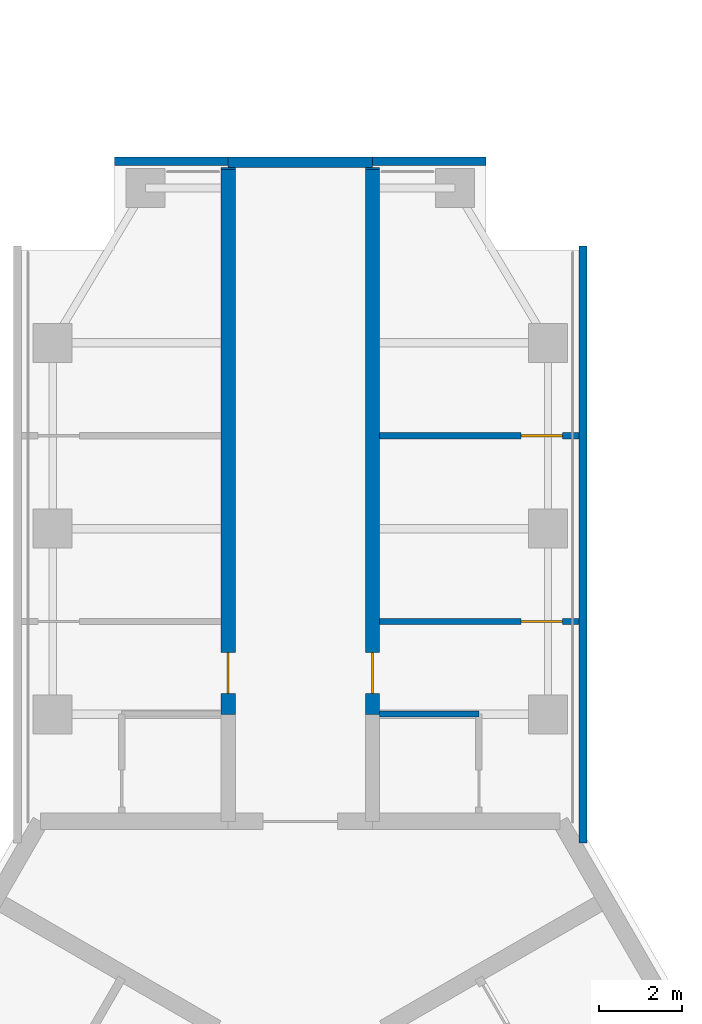
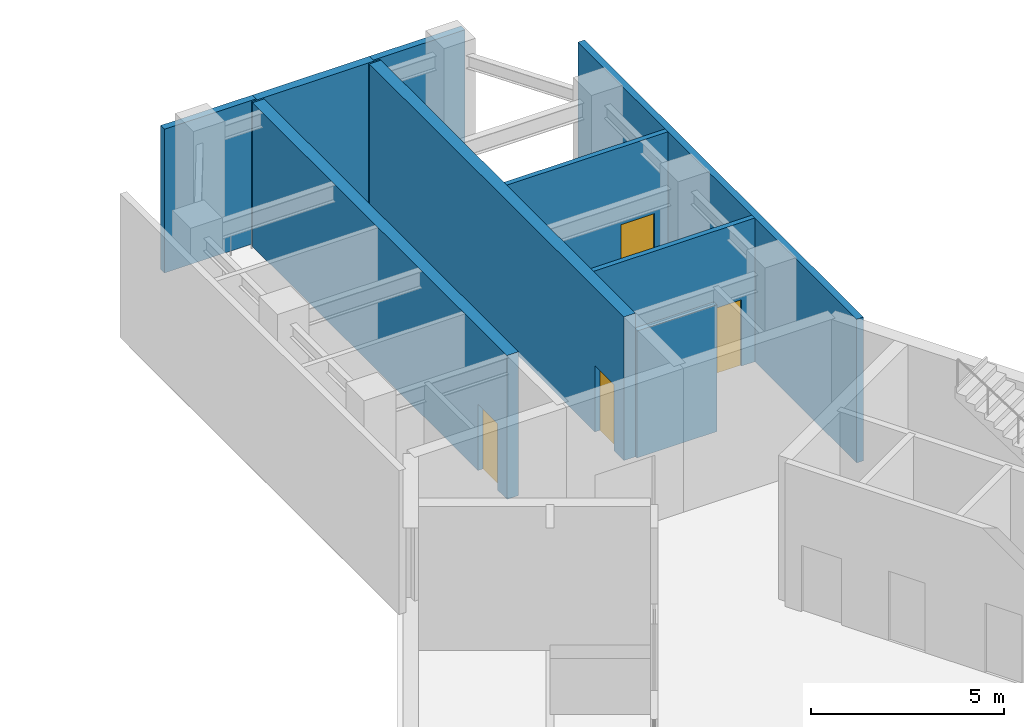
# One storey, part 6 of 8: 11 walls, 4 doors, 4 openings.
"""IFC4 building model written with IfcOpenShell, lengths in metres."""

import ifcopenshell
import ifcopenshell.guid

model = None  # the IFC model being written
_history = None  # IfcOwnerHistory: only IFC2X3 demands one
_inside = {}  # id of a spatial element -> (the spatial element, [elements in it])
_under = {}  # id of a project, library or spatial element -> (it, [spatial elements below it])
_declared = {}  # id of a project -> (the project, [libraries it declares])
_typed = {}  # id of a type object -> (the type object, [elements of that type])
_made_of = {}  # id of a material, layer set ... -> (it, [elements and type objects made of it])


def new_model(schema):
    """Start an empty IFC model of exactly this schema.

    Asked for "IFC4X3", IfcOpenShell would pick the latest addendum, in which some entities
    have other attributes; the version numbers below select the first issue.
    IFC2X3 requires an IfcOwnerHistory on every rooted entity: one is made here for all.
    """
    global model, _history
    if schema == "IFC4X3":
        model = ifcopenshell.file(schema_version=(4, 3, 0, 0))
    else:
        model = ifcopenshell.file(schema=schema)
    _inside.clear()
    _under.clear()
    _declared.clear()
    _typed.clear()
    _made_of.clear()
    _history = None
    if model.schema == "IFC2X3":
        org = make("IfcOrganization", Name="unknown")
        user = make(
            "IfcPersonAndOrganization",
            ThePerson=make("IfcPerson", FamilyName="unknown"),
            TheOrganization=org,
        )
        app = make(
            "IfcApplication",
            ApplicationDeveloper=org,
            Version="unknown",
            ApplicationFullName="unknown",
            ApplicationIdentifier="unknown",
        )
        _history = make(
            "IfcOwnerHistory",
            OwningUser=user,
            OwningApplication=app,
            ChangeAction="ADDED",
            CreationDate=0,
        )
    return model


def make(cls, **values):
    """One entity of the class cls with the attributes given. An attribute that is None is left unset."""
    return model.create_entity(
        cls, **{name: value for name, value in values.items() if value is not None}
    )


def rooted(cls, **values):
    """An entity with a GlobalId (a new one), such as an element, a storey or a relation."""
    return make(cls, GlobalId=ifcopenshell.guid.new(), OwnerHistory=_history, **values)


def si_unit(unit_type, name, prefix=None):
    """IfcSIUnit, for example si_unit("LENGTHUNIT", "METRE", prefix="MILLI")."""
    return make("IfcSIUnit", UnitType=unit_type, Prefix=prefix, Name=name)


def assignment(units):
    """IfcUnitAssignment: the units of a project."""
    return None if units is None else make("IfcUnitAssignment", Units=units)


def point(xyz):
    """IfcCartesianPoint."""
    return None if xyz is None else make("IfcCartesianPoint", Coordinates=xyz)


def direction(xyz):
    """IfcDirection."""
    return None if xyz is None else make("IfcDirection", DirectionRatios=xyz)


def frame(location, z_axis=None, x_axis=None):
    """IfcAxis2Placement3D, a coordinate frame: its origin and axes. An axis left out is left unset."""
    return make(
        "IfcAxis2Placement3D",
        Location=point(location),
        Axis=direction(z_axis),
        RefDirection=direction(x_axis),
    )


def frame_2d(location, x_axis=None):
    """IfcAxis2Placement2D, a coordinate frame in the plane: its origin and x axis."""
    return make(
        "IfcAxis2Placement2D", Location=point(location), RefDirection=direction(x_axis)
    )


def origin():
    """The frame at (0, 0, 0) with its axes left unset."""
    return frame((0.0, 0.0, 0.0))


def place(relative_to, where):
    """IfcLocalPlacement: puts the frame where relative to a parent placement (None: the world)."""
    return make(
        "IfcLocalPlacement", PlacementRelTo=relative_to, RelativePlacement=where
    )


def context(
    kind, dimensions, precision=None, world=None, true_north=None, identifier=None
):
    """IfcGeometricRepresentationContext, for example the 3D "Model" context."""
    return make(
        "IfcGeometricRepresentationContext",
        ContextIdentifier=identifier,
        ContextType=kind,
        CoordinateSpaceDimension=dimensions,
        Precision=precision,
        WorldCoordinateSystem=world,
        TrueNorth=true_north,
    )


def subcontext(parent, identifier, kind, view, scale=None):
    """IfcGeometricRepresentationSubContext, for example "Body" below "Model"."""
    return make(
        "IfcGeometricRepresentationSubContext",
        ContextIdentifier=identifier,
        ContextType=kind,
        ParentContext=parent,
        TargetScale=scale,
        TargetView=view,
    )


def project(units=None, contexts=None):
    """IfcProject with its units and contexts."""
    return rooted(
        "IfcProject",
        Name="project",
        RepresentationContexts=contexts,
        UnitsInContext=assignment(units),
    )


def spatial(cls, under=None, at=None, **own):
    """A site, building, storey or space (cls), placed at a placement, below another one or the project."""
    s = rooted(cls, ObjectPlacement=at, **own)
    if under is not None:
        _under.setdefault(under.id(), (under, []))[1].append(s)
    return s


def profile(cls, at=None, kind="AREA", **sizes):
    """A parametric profile (cls). Its sizes go by their IFC names, for example OverallWidth=200.0."""
    return make(cls, ProfileType=kind, Position=at, **sizes)


def rectangle(**sizes):
    """IfcRectangleProfileDef."""
    return profile("IfcRectangleProfileDef", **sizes)


def extrude(swept, where, along, depth):
    """IfcExtrudedAreaSolid: the profile swept, set in the frame where, extruded along a direction by depth."""
    return make(
        "IfcExtrudedAreaSolid",
        SweptArea=swept,
        Position=where,
        ExtrudedDirection=direction(along),
        Depth=depth,
    )


def shape(context_of_items, identifier, shape_type, items):
    """IfcShapeRepresentation: the items that make up one representation, for example the "Body"."""
    return make(
        "IfcShapeRepresentation",
        ContextOfItems=context_of_items,
        RepresentationIdentifier=identifier,
        RepresentationType=shape_type,
        Items=items,
    )


def material(Name=None, Category=None):
    """IfcMaterial."""
    return make("IfcMaterial", Name=Name, Category=Category)


def layer(
    of_material, thickness, ventilated=None, Name=None, Category=None, Priority=None
):
    """IfcMaterialLayer: one layer of a wall or slab, of a material (None: an air gap)."""
    return make(
        "IfcMaterialLayer",
        Material=of_material,
        LayerThickness=thickness,
        IsVentilated=ventilated,
        Name=Name,
        Category=Category,
        Priority=Priority,
    )


def layer_set(layers, Name=None):
    """IfcMaterialLayerSet."""
    return make("IfcMaterialLayerSet", MaterialLayers=layers, LayerSetName=Name)


def made_of(thing, what):
    """Note that an element or type object is made of a material, layer set ...; save() writes the relation."""
    if what is not None:
        _made_of.setdefault(what.id(), (what, []))[1].append(thing)
    return thing


def type_object(cls, material=None, **own):
    """A type object (cls), such as IfcWallType, which elements share."""
    return made_of(rooted(cls, **own), material)


def element(
    cls,
    number,
    at=None,
    inside=None,
    cuts=None,
    type_object=None,
    material=None,
    context=None,
    identifier="Body",
    shape_type=None,
    held_by="IfcProductDefinitionShape",
    body=None,
    shapes=None,
    **own,
):
    """One element of the class cls, such as IfcWall. Its Tag is "e" and its number.

    at: its placement. inside: the storey or other place that contains it. cuts: it is an
    opening in that element (IfcRelVoidsElement). A single representation is given by context,
    identifier, shape_type and body (its items); several are given by shapes. held_by: the class
    of the entity that holds the representations. save() writes the other relations.
    """
    e = rooted(cls, Tag="e%d" % number, ObjectPlacement=at, **own)
    if body is not None:
        shapes = [shape(context, identifier, shape_type, body)]
    if shapes is not None:
        e.Representation = make(held_by, Representations=shapes)
    if inside is not None:
        _inside.setdefault(inside.id(), (inside, []))[1].append(e)
    if cuts is not None:
        rooted(
            "IfcRelVoidsElement", RelatingBuildingElement=cuts, RelatedOpeningElement=e
        )
    if type_object is not None:
        _typed.setdefault(type_object.id(), (type_object, []))[1].append(e)
    return made_of(e, material)


def fill(opening, filler):
    """IfcRelFillsElement: the door or window that sits in an opening."""
    return rooted(
        "IfcRelFillsElement",
        RelatingOpeningElement=opening,
        RelatedBuildingElement=filler,
    )


def aggregate(whole, parts):
    """IfcRelAggregates: a whole, such as a stair, and the parts it consists of."""
    return rooted("IfcRelAggregates", RelatingObject=whole, RelatedObjects=parts)


def save(model, path):
    """Write the relations noted so far, then the file.

    IfcRelAggregates (storeys below a building ...), IfcRelContainedInSpatialStructure (elements
    in a storey), IfcRelDefinesByType, IfcRelAssociatesMaterial and IfcRelDeclares: one each for
    every whole, place, type object, material and project.
    """
    for whole, parts in _under.values():
        aggregate(whole, parts)
    for where, things in _inside.values():
        rooted(
            "IfcRelContainedInSpatialStructure",
            RelatedElements=things,
            RelatingStructure=where,
        )
    for kind, things in _typed.values():
        rooted("IfcRelDefinesByType", RelatedObjects=things, RelatingType=kind)
    for what, things in _made_of.values():
        rooted("IfcRelAssociatesMaterial", RelatedObjects=things, RelatingMaterial=what)
    for by, libraries in _declared.values():
        rooted("IfcRelDeclares", RelatingContext=by, RelatedDefinitions=libraries)
    model.write(path)


model = new_model("IFC4")

# Units and contexts
model_context = context("Model", 3, precision=1e-05, world=origin(), true_north=direction((0.0, 1.0)))
body_context = subcontext(model_context, "Body", "Model", "MODEL_VIEW")
ifc_project = project(units=[si_unit("LENGTHUNIT", "METRE"), si_unit("AREAUNIT", "SQUARE_METRE"), si_unit("VOLUMEUNIT", "CUBIC_METRE"), si_unit("PLANEANGLEUNIT", "RADIAN"), si_unit("MASSUNIT", "GRAM", prefix="KILO")], contexts=[model_context])

# Site, building, storey
site_placement = place(None, origin())
site = spatial("IfcSite", under=ifc_project, at=site_placement, CompositionType="ELEMENT")
building_placement = place(site_placement, origin())
building = spatial("IfcBuilding", under=site, at=building_placement, Name="Upepo Twin Towers", CompositionType="ELEMENT")
storey_placement = place(building_placement, frame((0.0, 0.0, 291.5)))
storey = spatial("IfcBuildingStorey", under=building, at=storey_placement, Name="L71", CompositionType="ELEMENT", Elevation=291.5)

# Walls
ifc_material_1 = material(Name="Precast concrete breeze blocks", Category="concrete")
ifc_layer_1 = layer(ifc_material_1, 0.199951171875)
ifc_layer_set_1 = layer_set([ifc_layer_1], Name="Breeze-block screen wall 200")
wall_type_1 = type_object("IfcWallType", Name="Breeze-block screen wall 200", PredefinedType="USERDEFINED", material=ifc_layer_set_1)
wall_1_placement = place(storey_placement, frame((65.35009765625, 6.85009765625, 0.0), z_axis=(0.0, 0.0, 1.0), x_axis=(0.0, -1.0, 0.0)))
element("IfcWall", 1, at=wall_1_placement, inside=storey, type_object=wall_type_1, Name="T2 L71 wing A screen R", ObjectType="SCREEN", PredefinedType="USERDEFINED", context=body_context, shape_type="SweptSolid", body=[
    extrude(rectangle(XDim=14.462890625, YDim=0.199951171875, at=frame_2d((7.2314453125, 0.0))), origin(), (0.0, 0.0, 1.0), 4.550048828125),
])
for number, where, z_axis, x_axis, name in (
    (2, (63.0, 8.89990234375, 0.0), (0.0, 0.0, 1.0), (-1.0, 0.0, 0.0), "T2 L71 wing A nose screen 0"),
    (3, (56.75, 8.89990234375, 0.0), (0.0, 0.0, 1.0), (-1.0, 0.0, 0.0), "T2 L71 wing A nose screen 2"),
):
    element("IfcWall", number, at=place(storey_placement, frame(where, z_axis=z_axis, x_axis=x_axis)), inside=storey, type_object=wall_type_1, Name=name, ObjectType="SCREEN", PredefinedType="USERDEFINED", context=body_context, shape_type="SweptSolid", body=[
        extrude(rectangle(XDim=2.75, YDim=0.199951171875, at=frame_2d((1.375, 0.0))), origin(), (0.0, 0.0, 1.0), 4.550048828125),
    ])
ifc_material_2 = material(Name="Dense concrete blockwork", Category="masonry")
ifc_layer_2 = layer(ifc_material_2, 0.35009765625)
ifc_layer_set_2 = layer_set([ifc_layer_2], Name="Buttress closer 350, blockwork with fire-stopping to the curtain wall")
wall_type_2 = type_object("IfcWallType", Name="Buttress closer 350, blockwork with fire-stopping to the curtain wall", PredefinedType="PARTITIONING", material=ifc_layer_set_2)
for number, where, z_axis, x_axis, name in (
    (4, (56.75, 8.699951171875, 0.0), (0.0, 0.0, 1.0), (0.0, 1.0, 0.0), "T2 L71 wing A buttress closer L"),
    (5, (60.25, 8.699951171875, 0.0), (0.0, 0.0, 1.0), (0.0, 1.0, 0.0), "T2 L71 wing A buttress closer R"),
):
    element("IfcWall", number, at=place(storey_placement, frame(where, z_axis=z_axis, x_axis=x_axis)), inside=storey, type_object=wall_type_2, Name=name, PredefinedType="PARTITIONING", context=body_context, shape_type="SweptSolid", body=[
        extrude(rectangle(XDim=0.050048828125, YDim=0.35009765625, at=frame_2d((0.02490234375, 0.0))), origin(), (0.0, 0.0, 1.0), 4.550048828125),
    ])

# Wall, opening, door
ifc_material_3 = material(Name="Concrete C60/75", Category="concrete")
ifc_layer_3 = layer(ifc_material_3, 0.35009765625)
ifc_layer_set_3 = layer_set([ifc_layer_3], Name="Concrete C60/75")
wall_type_3 = type_object("IfcWallType", Name="Buttress wall 350 RC", PredefinedType="SHEAR", material=ifc_layer_set_3)
wall_2_placement = place(storey_placement, frame((56.75, -4.5, 0.0), z_axis=(0.0, 0.0, 1.0), x_axis=(0.0, 1.0, 0.0)))
wall_2 = element("IfcWall", 6, at=wall_2_placement, inside=storey, type_object=wall_type_3, Name="T2 wing A buttress wall L part 2", PredefinedType="SHEAR", context=body_context, shape_type="SweptSolid", body=[
    extrude(rectangle(XDim=13.199951171875, YDim=0.35009765625, at=frame_2d((6.60009765625, 0.0))), origin(), (0.0, 0.0, 1.0), 4.550048828125),
])
opening_1_placement = place(wall_2_placement, frame((0.5, 0.0, 0.0)))
opening_1 = element("IfcOpeningElement", 7, at=opening_1_placement, cuts=wall_2, Name="Opening D1", PredefinedType="OPENING", context=body_context, shape_type="SweptSolid", body=[
    extrude(rectangle(XDim=1.0, YDim=2.10009765625, at=frame_2d((0.5, 1.050048828125))), frame((0.0, 0.18505859375, 0.0), z_axis=(0.0, -1.0, 0.0), x_axis=(1.0, 0.0, 0.0)), (0.0, 0.0, 1.0), 0.3701171875),
])
ifc_material_4 = material(Name="Timber doorset", Category="wood")
door_type = type_object("IfcDoorType", Name="Room door 1000 FD30", OperationType="SINGLE_SWING_LEFT", PredefinedType="DOOR", material=ifc_material_4)
door_1_placement = place(opening_1_placement, origin())
door_1 = element("IfcDoor", 8, at=door_1_placement, inside=storey, type_object=door_type, Name="T2 L71 chiller plant room door", OperationType="SINGLE_SWING_LEFT", OverallHeight=2.10009765625, OverallWidth=1.0, PredefinedType="DOOR", context=body_context, shape_type="SweptSolid", body=[
    extrude(rectangle(XDim=1.0, YDim=2.10009765625, at=frame_2d((0.5, 1.050048828125))), frame((0.0, 0.02490234375, 0.0), z_axis=(0.0, -1.0, 0.0), x_axis=(1.0, 0.0, 0.0)), (0.0, 0.0, 1.0), 0.050048828125),
])
fill(opening_1, door_1)

wall_3_placement = place(storey_placement, frame((60.25, -4.5, 0.0), z_axis=(0.0, 0.0, 1.0), x_axis=(0.0, 1.0, 0.0)))
wall_3 = element("IfcWall", 9, at=wall_3_placement, inside=storey, type_object=wall_type_3, Name="T2 wing A buttress wall R part 2", PredefinedType="SHEAR", context=body_context, shape_type="SweptSolid", body=[
    extrude(rectangle(XDim=13.199951171875, YDim=0.35009765625, at=frame_2d((6.60009765625, 0.0))), origin(), (0.0, 0.0, 1.0), 4.550048828125),
])
opening_2_placement = place(wall_3_placement, frame((0.5, 0.0, 0.0)))
opening_2 = element("IfcOpeningElement", 10, at=opening_2_placement, cuts=wall_3, Name="Opening D1", PredefinedType="OPENING", context=body_context, shape_type="SweptSolid", body=[
    extrude(rectangle(XDim=1.0, YDim=2.10009765625, at=frame_2d((0.5, 1.050048828125))), frame((0.0, 0.18505859375, 0.0), z_axis=(0.0, -1.0, 0.0), x_axis=(1.0, 0.0, 0.0)), (0.0, 0.0, 1.0), 0.3701171875),
])
door_2_placement = place(opening_2_placement, origin())
door_2 = element("IfcDoor", 11, at=door_2_placement, inside=storey, type_object=door_type, Name="T2 L71 electrical switch room door", OperationType="SINGLE_SWING_LEFT", OverallHeight=2.10009765625, OverallWidth=1.0, PredefinedType="DOOR", context=body_context, shape_type="SweptSolid", body=[
    extrude(rectangle(XDim=1.0, YDim=2.10009765625, at=frame_2d((0.5, 1.050048828125))), frame((0.0, 0.02490234375, 0.0), z_axis=(0.0, -1.0, 0.0), x_axis=(1.0, 0.0, 0.0)), (0.0, 0.0, 1.0), 0.050048828125),
])
fill(opening_2, door_2)

# Wall
ifc_material_5 = material(Name="Blockwork with anodised aluminium cladding", Category="masonry")
ifc_layer_4 = layer(ifc_material_5, 0.25)
ifc_layer_set_4 = layer_set([ifc_layer_4], Name="Notch cladding wall 250, pale metal")
wall_type_4 = type_object("IfcWallType", Name="Notch cladding wall 250, pale metal", PredefinedType="STANDARD", material=ifc_layer_set_4)
wall_4_placement = place(storey_placement, frame((60.25, 8.875, 0.0), z_axis=(0.0, 0.0, 1.0), x_axis=(-1.0, 0.0, 0.0)))
element("IfcWall", 12, at=wall_4_placement, inside=storey, type_object=wall_type_4, Name="T2 L71 wing A nose wall", PredefinedType="STANDARD", context=body_context, shape_type="SweptSolid", body=[
    extrude(rectangle(XDim=3.5, YDim=0.25, at=frame_2d((1.75, 0.0))), origin(), (0.0, 0.0, 1.0), 4.550048828125),
])

# Wall, opening, door
ifc_material_6 = material(Name="Gypsum board on steel studs", Category="steel")
ifc_layer_5 = layer(ifc_material_6, 0.14990234375)
ifc_layer_set_5 = layer_set([ifc_layer_5], Name="Teaching partition 150 acoustic")
wall_type_5 = type_object("IfcWallType", Name="Teaching partition 150 acoustic", PredefinedType="PARTITIONING", material=ifc_layer_set_5)
wall_5_placement = place(storey_placement, frame((60.425048828125, -2.25, 0.0), z_axis=(0.0, 0.0, 1.0), x_axis=(1.0, 0.0, 0.0)))
wall_5 = element("IfcWall", 13, at=wall_5_placement, inside=storey, type_object=wall_type_5, Name="T2 partition AR at 15.75", PredefinedType="PARTITIONING", context=body_context, shape_type="SweptSolid", body=[
    extrude(rectangle(XDim=4.824951171875, YDim=0.14990234375, at=frame_2d((2.41259765625, 0.0))), origin(), (0.0, 0.0, 1.0), 4.550048828125),
])
opening_3_placement = place(wall_5_placement, frame((3.425048828125, 0.0, 0.0)))
opening_3 = element("IfcOpeningElement", 14, at=opening_3_placement, cuts=wall_5, Name="Opening D1", PredefinedType="OPENING", context=body_context, shape_type="SweptSolid", body=[
    extrude(rectangle(XDim=1.0, YDim=2.10009765625, at=frame_2d((0.5, 1.050048828125))), frame((0.0, 0.0849609375, 0.0), z_axis=(0.0, -1.0, 0.0), x_axis=(1.0, 0.0, 0.0)), (0.0, 0.0, 1.0), 0.169921875),
])
door_3_placement = place(opening_3_placement, origin())
door_3 = element("IfcDoor", 15, at=door_3_placement, inside=storey, type_object=door_type, Name="T2 L71 connecting door", OperationType="SINGLE_SWING_RIGHT", OverallHeight=2.10009765625, OverallWidth=1.0, PredefinedType="DOOR", context=body_context, shape_type="SweptSolid", body=[
    extrude(rectangle(XDim=1.0, YDim=2.10009765625, at=frame_2d((0.5, 1.050048828125))), frame((0.0, 0.02490234375, 0.0), z_axis=(0.0, -1.0, 0.0), x_axis=(1.0, 0.0, 0.0)), (0.0, 0.0, 1.0), 0.050048828125),
])
fill(opening_3, door_3)

wall_6_placement = place(storey_placement, frame((60.425048828125, 2.25, 0.0), z_axis=(0.0, 0.0, 1.0), x_axis=(1.0, 0.0, 0.0)))
wall_6 = element("IfcWall", 16, at=wall_6_placement, inside=storey, type_object=wall_type_5, Name="T2 partition AR at 20.25", PredefinedType="PARTITIONING", context=body_context, shape_type="SweptSolid", body=[
    extrude(rectangle(XDim=4.824951171875, YDim=0.14990234375, at=frame_2d((2.41259765625, 0.0))), origin(), (0.0, 0.0, 1.0), 4.550048828125),
])
opening_4_placement = place(wall_6_placement, frame((3.425048828125, 0.0, 0.0)))
opening_4 = element("IfcOpeningElement", 17, at=opening_4_placement, cuts=wall_6, Name="Opening D1", PredefinedType="OPENING", context=body_context, shape_type="SweptSolid", body=[
    extrude(rectangle(XDim=1.0, YDim=2.10009765625, at=frame_2d((0.5, 1.050048828125))), frame((0.0, 0.0849609375, 0.0), z_axis=(0.0, -1.0, 0.0), x_axis=(1.0, 0.0, 0.0)), (0.0, 0.0, 1.0), 0.169921875),
])
door_4_placement = place(opening_4_placement, origin())
door_4 = element("IfcDoor", 18, at=door_4_placement, inside=storey, type_object=door_type, Name="T2 L71 connecting door", OperationType="SINGLE_SWING_RIGHT", OverallHeight=2.10009765625, OverallWidth=1.0, PredefinedType="DOOR", context=body_context, shape_type="SweptSolid", body=[
    extrude(rectangle(XDim=1.0, YDim=2.10009765625, at=frame_2d((0.5, 1.050048828125))), frame((0.0, 0.02490234375, 0.0), z_axis=(0.0, -1.0, 0.0), x_axis=(1.0, 0.0, 0.0)), (0.0, 0.0, 1.0), 0.050048828125),
])
fill(opening_4, door_4)

# Wall
wall_7_placement = place(storey_placement, frame((60.425048828125, -4.491943359375, 0.0), z_axis=(0.0, 0.0, 1.0), x_axis=(1.0, 0.0, 0.0)))
element("IfcWall", 19, at=wall_7_placement, inside=storey, type_object=wall_type_5, Name="T2 WC bay partition AR end at 13.51", PredefinedType="PARTITIONING", context=body_context, shape_type="SweptSolid", body=[
    extrude(rectangle(XDim=2.39990234375, YDim=0.14990234375, at=frame_2d((1.199951171875, 0.0))), origin(), (0.0, 0.0, 1.0), 4.016845703125),
])

save(model, "model.ifc")
